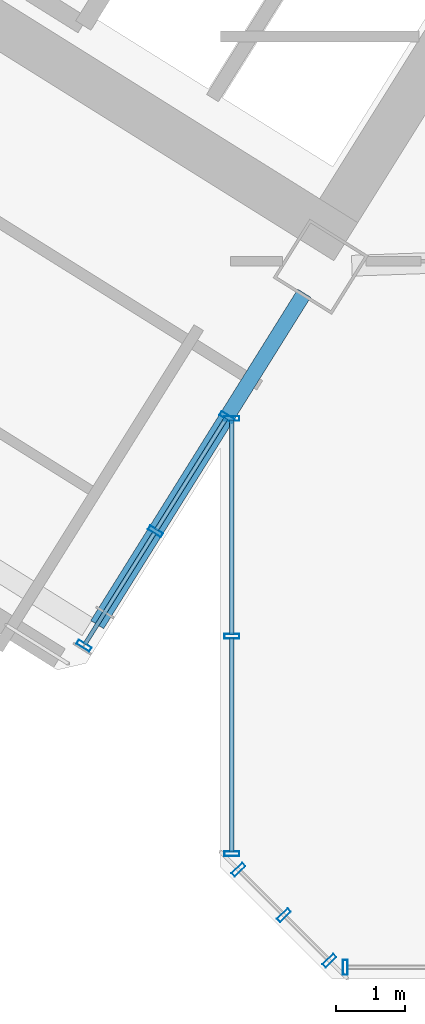
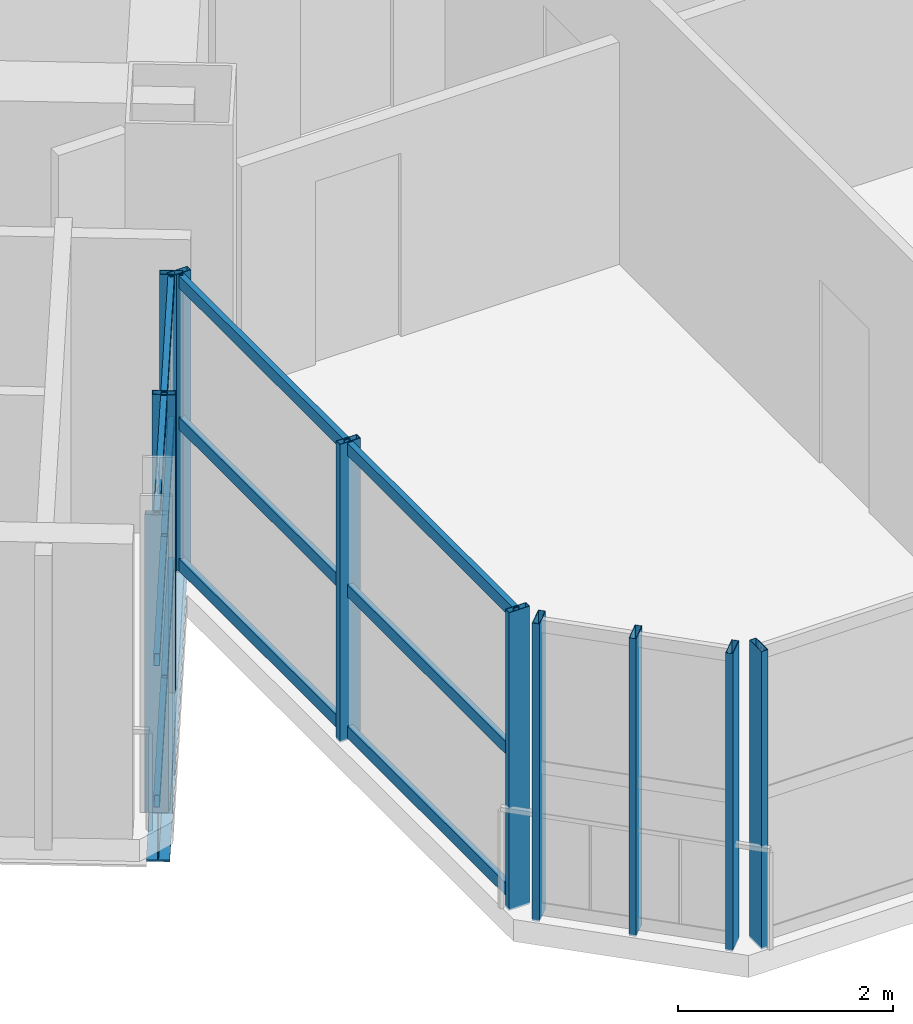
# One storey, part 5 of 24: 22 members, 1 beam, 4 elements without a shape of their own.
"""IFC4 building model written with IfcOpenShell, lengths in metres."""

import ifcopenshell
import ifcopenshell.guid

model = None  # the IFC model being written
_history = None  # IfcOwnerHistory: only IFC2X3 demands one
_inside = {}  # id of a spatial element -> (the spatial element, [elements in it])
_under = {}  # id of a project, library or spatial element -> (it, [spatial elements below it])
_declared = {}  # id of a project -> (the project, [libraries it declares])
_typed = {}  # id of a type object -> (the type object, [elements of that type])
_made_of = {}  # id of a material, layer set ... -> (it, [elements and type objects made of it])


def new_model(schema):
    """Start an empty IFC model of exactly this schema.

    Asked for "IFC4X3", IfcOpenShell would pick the latest addendum, in which some entities
    have other attributes; the version numbers below select the first issue.
    IFC2X3 requires an IfcOwnerHistory on every rooted entity: one is made here for all.
    """
    global model, _history
    if schema == "IFC4X3":
        model = ifcopenshell.file(schema_version=(4, 3, 0, 0))
    else:
        model = ifcopenshell.file(schema=schema)
    _inside.clear()
    _under.clear()
    _declared.clear()
    _typed.clear()
    _made_of.clear()
    _history = None
    if model.schema == "IFC2X3":
        org = make("IfcOrganization", Name="unknown")
        user = make(
            "IfcPersonAndOrganization",
            ThePerson=make("IfcPerson", FamilyName="unknown"),
            TheOrganization=org,
        )
        app = make(
            "IfcApplication",
            ApplicationDeveloper=org,
            Version="unknown",
            ApplicationFullName="unknown",
            ApplicationIdentifier="unknown",
        )
        _history = make(
            "IfcOwnerHistory",
            OwningUser=user,
            OwningApplication=app,
            ChangeAction="ADDED",
            CreationDate=0,
        )
    return model


def make(cls, **values):
    """One entity of the class cls with the attributes given. An attribute that is None is left unset."""
    return model.create_entity(
        cls, **{name: value for name, value in values.items() if value is not None}
    )


def rooted(cls, **values):
    """An entity with a GlobalId (a new one), such as an element, a storey or a relation."""
    return make(cls, GlobalId=ifcopenshell.guid.new(), OwnerHistory=_history, **values)


def si_unit(unit_type, name, prefix=None):
    """IfcSIUnit, for example si_unit("LENGTHUNIT", "METRE", prefix="MILLI")."""
    return make("IfcSIUnit", UnitType=unit_type, Prefix=prefix, Name=name)


def assignment(units):
    """IfcUnitAssignment: the units of a project."""
    return None if units is None else make("IfcUnitAssignment", Units=units)


def point(xyz):
    """IfcCartesianPoint."""
    return None if xyz is None else make("IfcCartesianPoint", Coordinates=xyz)


def direction(xyz):
    """IfcDirection."""
    return None if xyz is None else make("IfcDirection", DirectionRatios=xyz)


def frame(location, z_axis=None, x_axis=None):
    """IfcAxis2Placement3D, a coordinate frame: its origin and axes. An axis left out is left unset."""
    return make(
        "IfcAxis2Placement3D",
        Location=point(location),
        Axis=direction(z_axis),
        RefDirection=direction(x_axis),
    )


def frame_2d(location, x_axis=None):
    """IfcAxis2Placement2D, a coordinate frame in the plane: its origin and x axis."""
    return make(
        "IfcAxis2Placement2D", Location=point(location), RefDirection=direction(x_axis)
    )


def origin():
    """The frame at (0, 0, 0) with its axes left unset."""
    return frame((0.0, 0.0, 0.0))


def origin_2d():
    """The frame at (0, 0) in the plane with its x axis left unset."""
    return frame_2d((0.0, 0.0))


def place(relative_to, where):
    """IfcLocalPlacement: puts the frame where relative to a parent placement (None: the world)."""
    return make(
        "IfcLocalPlacement", PlacementRelTo=relative_to, RelativePlacement=where
    )


def context(
    kind, dimensions, precision=None, world=None, true_north=None, identifier=None
):
    """IfcGeometricRepresentationContext, for example the 3D "Model" context."""
    return make(
        "IfcGeometricRepresentationContext",
        ContextIdentifier=identifier,
        ContextType=kind,
        CoordinateSpaceDimension=dimensions,
        Precision=precision,
        WorldCoordinateSystem=world,
        TrueNorth=true_north,
    )


def subcontext(parent, identifier, kind, view, scale=None):
    """IfcGeometricRepresentationSubContext, for example "Body" below "Model"."""
    return make(
        "IfcGeometricRepresentationSubContext",
        ContextIdentifier=identifier,
        ContextType=kind,
        ParentContext=parent,
        TargetScale=scale,
        TargetView=view,
    )


def project(units=None, contexts=None):
    """IfcProject with its units and contexts."""
    return rooted(
        "IfcProject",
        Name="project",
        RepresentationContexts=contexts,
        UnitsInContext=assignment(units),
    )


def spatial(cls, under=None, at=None, **own):
    """A site, building, storey or space (cls), placed at a placement, below another one or the project."""
    s = rooted(cls, ObjectPlacement=at, **own)
    if under is not None:
        _under.setdefault(under.id(), (under, []))[1].append(s)
    return s


def profile(cls, at=None, kind="AREA", **sizes):
    """A parametric profile (cls). Its sizes go by their IFC names, for example OverallWidth=200.0."""
    return make(cls, ProfileType=kind, Position=at, **sizes)


def hollow_rectangle(**sizes):
    """IfcRectangleHollowProfileDef."""
    return profile("IfcRectangleHollowProfileDef", **sizes)


def i_section(**sizes):
    """IfcIShapeProfileDef."""
    return profile("IfcIShapeProfileDef", **sizes)


def extrude(swept, where, along, depth):
    """IfcExtrudedAreaSolid: the profile swept, set in the frame where, extruded along a direction by depth."""
    return make(
        "IfcExtrudedAreaSolid",
        SweptArea=swept,
        Position=where,
        ExtrudedDirection=direction(along),
        Depth=depth,
    )


def shape(context_of_items, identifier, shape_type, items):
    """IfcShapeRepresentation: the items that make up one representation, for example the "Body"."""
    return make(
        "IfcShapeRepresentation",
        ContextOfItems=context_of_items,
        RepresentationIdentifier=identifier,
        RepresentationType=shape_type,
        Items=items,
    )


def source(mapping_origin, context_of_items, identifier, shape_type, items):
    """IfcRepresentationMap: a shape defined once, which mapped items show again and again."""
    return make(
        "IfcRepresentationMap",
        MappingOrigin=mapping_origin,
        MappedRepresentation=shape(context_of_items, identifier, shape_type, items),
    )


def transform(
    local_origin,
    x_axis=None,
    y_axis=None,
    z_axis=None,
    scale=None,
    scale2=None,
    scale3=None,
    uniform=True,
):
    """IfcCartesianTransformationOperator3D, or its non-uniform kind. x_axis, y_axis, z_axis: its Axis1, 2, 3."""
    if uniform:
        return make(
            "IfcCartesianTransformationOperator3D",
            Axis1=direction(x_axis),
            Axis2=direction(y_axis),
            LocalOrigin=point(local_origin),
            Scale=scale,
            Axis3=direction(z_axis),
        )
    return make(
        "IfcCartesianTransformationOperator3DnonUniform",
        Axis1=direction(x_axis),
        Axis2=direction(y_axis),
        LocalOrigin=point(local_origin),
        Scale=scale,
        Axis3=direction(z_axis),
        Scale2=scale2,
        Scale3=scale3,
    )


def mapped(mapping_source, mapping_target):
    """IfcMappedItem: shows the shape of a source again, moved by a transform."""
    return make(
        "IfcMappedItem", MappingSource=mapping_source, MappingTarget=mapping_target
    )


def material(Name=None, Category=None):
    """IfcMaterial."""
    return make("IfcMaterial", Name=Name, Category=Category)


def material_profile(
    of_material, cross_section, Name=None, Category=None, Priority=None
):
    """IfcMaterialProfile: a cross section and its material."""
    return make(
        "IfcMaterialProfile",
        Name=Name,
        Material=of_material,
        Profile=cross_section,
        Priority=Priority,
        Category=Category,
    )


def profile_set(profiles, Name=None, composite=None):
    """IfcMaterialProfileSet."""
    return make(
        "IfcMaterialProfileSet",
        Name=Name,
        MaterialProfiles=profiles,
        CompositeProfile=composite,
    )


def made_of(thing, what):
    """Note that an element or type object is made of a material, layer set ...; save() writes the relation."""
    if what is not None:
        _made_of.setdefault(what.id(), (what, []))[1].append(thing)
    return thing


def type_object(cls, material=None, **own):
    """A type object (cls), such as IfcWallType, which elements share."""
    return made_of(rooted(cls, **own), material)


def element(
    cls,
    number,
    at=None,
    inside=None,
    cuts=None,
    type_object=None,
    material=None,
    context=None,
    identifier="Body",
    shape_type=None,
    held_by="IfcProductDefinitionShape",
    body=None,
    shapes=None,
    **own,
):
    """One element of the class cls, such as IfcWall. Its Tag is "e" and its number.

    at: its placement. inside: the storey or other place that contains it. cuts: it is an
    opening in that element (IfcRelVoidsElement). A single representation is given by context,
    identifier, shape_type and body (its items); several are given by shapes. held_by: the class
    of the entity that holds the representations. save() writes the other relations.
    """
    e = rooted(cls, Tag="e%d" % number, ObjectPlacement=at, **own)
    if body is not None:
        shapes = [shape(context, identifier, shape_type, body)]
    if shapes is not None:
        e.Representation = make(held_by, Representations=shapes)
    if inside is not None:
        _inside.setdefault(inside.id(), (inside, []))[1].append(e)
    if cuts is not None:
        rooted(
            "IfcRelVoidsElement", RelatingBuildingElement=cuts, RelatedOpeningElement=e
        )
    if type_object is not None:
        _typed.setdefault(type_object.id(), (type_object, []))[1].append(e)
    return made_of(e, material)


def aggregate(whole, parts):
    """IfcRelAggregates: a whole, such as a stair, and the parts it consists of."""
    return rooted("IfcRelAggregates", RelatingObject=whole, RelatedObjects=parts)


def save(model, path):
    """Write the relations noted so far, then the file.

    IfcRelAggregates (storeys below a building ...), IfcRelContainedInSpatialStructure (elements
    in a storey), IfcRelDefinesByType, IfcRelAssociatesMaterial and IfcRelDeclares: one each for
    every whole, place, type object, material and project.
    """
    for whole, parts in _under.values():
        aggregate(whole, parts)
    for where, things in _inside.values():
        rooted(
            "IfcRelContainedInSpatialStructure",
            RelatedElements=things,
            RelatingStructure=where,
        )
    for kind, things in _typed.values():
        rooted("IfcRelDefinesByType", RelatedObjects=things, RelatingType=kind)
    for what, things in _made_of.values():
        rooted("IfcRelAssociatesMaterial", RelatedObjects=things, RelatingMaterial=what)
    for by, libraries in _declared.values():
        rooted("IfcRelDeclares", RelatingContext=by, RelatedDefinitions=libraries)
    model.write(path)


model = new_model("IFC4")

# Units and contexts
model_context = context("Model", 3, precision=1e-05, world=origin(), true_north=direction((0.0, 1.0)))
body_context = subcontext(model_context, "Body", "Model", "MODEL_VIEW")
ifc_project = project(units=[si_unit("LENGTHUNIT", "METRE"), si_unit("AREAUNIT", "SQUARE_METRE"), si_unit("VOLUMEUNIT", "CUBIC_METRE"), si_unit("PLANEANGLEUNIT", "RADIAN"), si_unit("MASSUNIT", "GRAM", prefix="KILO")], contexts=[model_context])

# Site, building, storey
site_placement = place(None, origin())
site = spatial("IfcSite", under=ifc_project, at=site_placement, CompositionType="ELEMENT")
building_placement = place(site_placement, origin())
building = spatial("IfcBuilding", under=site, at=building_placement, Name="Tlacorven Tower", CompositionType="ELEMENT")
storey_placement = place(building_placement, frame((0.0, 0.0, 38.39990234375)))
storey = spatial("IfcBuildingStorey", under=building, at=storey_placement, Name="L09", CompositionType="ELEMENT", Elevation=38.39990234375)

# Beam
ifc_material_1 = material(Name="Steel S355J2", Category="steel")
ifc_material_profile_1 = material_profile(ifc_material_1, i_section(OverallWidth=0.219970703125, OverallDepth=0.60009765625, WebThickness=0.011962890625, FlangeThickness=0.01904296875, at=origin_2d()), Name="IPE 600")
ifc_profile_set_1 = profile_set([ifc_material_profile_1], Name="Steel S355J2")
beam_type = type_object("IfcBeamType", Name="BM-TWR-600", PredefinedType="BEAM", material=ifc_profile_set_1)
shared_shape_1 = source(origin(), body_context, "Body", "SweptSolid", [
    extrude(i_section(OverallWidth=0.219970703125, OverallDepth=0.60009765625, WebThickness=0.011962890625, FlangeThickness=0.01904296875, at=origin_2d()), origin(), (0.0, 0.0, 1.0), 5.64990234375),
])
beam_placement = place(storey_placement, frame((32.8076171875, 11.705322265625, -0.5498046875), z_axis=(-0.529897948462, -0.848061415356, 0.0), x_axis=(0.848061415356, -0.529897948462, 0.0)))
element("IfcBeam", 1, at=beam_placement, inside=storey, type_object=beam_type, Name="L09 beam BM-L09-WT1-2", PredefinedType="BEAM", context=body_context, shape_type="MappedRepresentation", body=[
    mapped(shared_shape_1, transform((0.0, 0.0, 0.0), scale=1.0)),
])

# Curtain wall, member
ifc_material_2 = material(Name="Dark solar low-E double glazing in aluminium frame", Category="aluminium")
curtain_wall_type = type_object("IfcCurtainWallType", Name="CW-TWR-LOW", PredefinedType="USERDEFINED", material=ifc_material_2)
curtain_wall_1_placement = place(storey_placement, origin())
curtain_wall_1 = element("IfcCurtainWall", 2, at=curtain_wall_1_placement, inside=storey, type_object=curtain_wall_type, Name="L09 CW-TWR-LOW Curtain Wall 46", ObjectType="UNITISED CURTAIN WALL", PredefinedType="USERDEFINED")
ifc_material_3 = material(Name="Aluminium 6063-T6 anodised", Category="aluminium")
ifc_material_profile_2 = material_profile(ifc_material_3, hollow_rectangle(XDim=0.070068359375, YDim=0.219970703125, WallThickness=0.0048828125, at=origin_2d()), Name="ALU MULLION 70X220")
ifc_profile_set_2 = profile_set([ifc_material_profile_2], Name="Aluminium 6063-T6 anodised")
member_type_1 = type_object("IfcMemberType", Name="CWM-01", PredefinedType="MULLION", material=ifc_profile_set_2)
shared_shape_2 = source(origin(), body_context, "Body", "SweptSolid", [
    extrude(hollow_rectangle(XDim=0.070068359375, YDim=0.219970703125, WallThickness=0.0048828125, at=origin_2d()), origin(), (0.0, 0.0, 1.0), 3.380126953125),
])
member_1_placement = place(storey_placement, frame((33.4013671875, 1.9599609375, -0.02001953125), z_axis=(0.0, 0.0, 1.0), x_axis=(-1.0, 0.0, 0.0)))
member_1 = element("IfcMember", 3, at=member_1_placement, type_object=member_type_1, Name="CW-L09-046 Mullion 4", PredefinedType="MULLION", context=body_context, shape_type="MappedRepresentation", body=[
    mapped(shared_shape_2, transform((0.0, 0.0, 0.0), scale=1.0)),
])
aggregate(curtain_wall_1, [member_1])

# Curtain wall, members
curtain_wall_2_placement = place(storey_placement, origin())
curtain_wall_2 = element("IfcCurtainWall", 4, at=curtain_wall_2_placement, inside=storey, type_object=curtain_wall_type, Name="L09 CW-TWR-LOW Curtain Wall 47", ObjectType="UNITISED CURTAIN WALL", PredefinedType="USERDEFINED")
member_2_placement = place(storey_placement, frame((33.1708984375, 2.055419921875, -0.02001953125), z_axis=(0.0, 0.0, 1.0), x_axis=(-0.707106781187, 0.707106781187, 0.0)))
member_2 = element("IfcMember", 5, at=member_2_placement, type_object=member_type_1, Name="CW-L09-047 Mullion 1", PredefinedType="MULLION", context=body_context, shape_type="MappedRepresentation", body=[
    mapped(shared_shape_2, transform((0.0, 0.0, 0.0), scale=1.0)),
])
member_3_placement = place(storey_placement, frame((32.51318359375, 2.713134765625, -0.02001953125), z_axis=(0.0, 0.0, 1.0), x_axis=(-0.707106781187, 0.707106781187, 0.0)))
member_3 = element("IfcMember", 6, at=member_3_placement, type_object=member_type_1, Name="CW-L09-047 Mullion 2", PredefinedType="MULLION", context=body_context, shape_type="MappedRepresentation", body=[
    mapped(shared_shape_2, transform((0.0, 0.0, 0.0), scale=1.0)),
])
member_4_placement = place(storey_placement, frame((31.85546875, 3.370849609375, -0.02001953125), z_axis=(0.0, 0.0, 1.0), x_axis=(-0.707106781187, 0.707106781187, 0.0)))
member_4 = element("IfcMember", 7, at=member_4_placement, type_object=member_type_1, Name="CW-L09-047 Mullion 3", PredefinedType="MULLION", context=body_context, shape_type="MappedRepresentation", body=[
    mapped(shared_shape_2, transform((0.0, 0.0, 0.0), scale=1.0)),
])
aggregate(curtain_wall_2, [member_2, member_3, member_4])

curtain_wall_3_placement = place(storey_placement, origin())
curtain_wall_3 = element("IfcCurtainWall", 8, at=curtain_wall_3_placement, inside=storey, type_object=curtain_wall_type, Name="L09 CW-TWR-LOW Curtain Wall 48", ObjectType="UNITISED CURTAIN WALL", PredefinedType="USERDEFINED")
member_5_placement = place(storey_placement, frame((31.760009765625, 3.601318359375, -0.02001953125), z_axis=(0.0, 0.0, 1.0), x_axis=(0.0, 1.0, 0.0)))
member_5 = element("IfcMember", 9, at=member_5_placement, type_object=member_type_1, Name="CW-L09-048 Mullion 1", PredefinedType="MULLION", context=body_context, shape_type="MappedRepresentation", body=[
    mapped(shared_shape_2, transform((0.0, 0.0, 0.0), scale=1.0)),
])
member_6_placement = place(storey_placement, frame((31.760009765625, 6.74755859375, -0.02001953125), z_axis=(0.0, 0.0, 1.0), x_axis=(0.0, 1.0, 0.0)))
member_6 = element("IfcMember", 10, at=member_6_placement, type_object=member_type_1, Name="CW-L09-048 Mullion 2", PredefinedType="MULLION", context=body_context, shape_type="MappedRepresentation", body=[
    mapped(shared_shape_2, transform((0.0, 0.0, 0.0), scale=1.0)),
])
member_7_placement = place(storey_placement, frame((31.760009765625, 9.8935546875, -0.02001953125), z_axis=(0.0, 0.0, 1.0), x_axis=(0.0, 1.0, 0.0)))
member_7 = element("IfcMember", 11, at=member_7_placement, type_object=member_type_1, Name="CW-L09-048 Mullion 3", PredefinedType="MULLION", context=body_context, shape_type="MappedRepresentation", body=[
    mapped(shared_shape_2, transform((0.0, 0.0, 0.0), scale=1.0)),
])

curtain_wall_4_placement = place(storey_placement, origin())
curtain_wall_4 = element("IfcCurtainWall", 12, at=curtain_wall_4_placement, inside=storey, type_object=curtain_wall_type, Name="L09 CW-TWR-LOW Curtain Wall 49", ObjectType="UNITISED CURTAIN WALL", PredefinedType="USERDEFINED")
member_8_placement = place(storey_placement, frame((31.6884765625, 9.9140625, -0.02001953125), z_axis=(0.0, 0.0, 1.0), x_axis=(-0.529918710919, -0.848048441905, 0.0)))
member_8 = element("IfcMember", 13, at=member_8_placement, type_object=member_type_1, Name="CW-L09-049 Mullion 1", PredefinedType="MULLION", context=body_context, shape_type="MappedRepresentation", body=[
    mapped(shared_shape_2, transform((0.0, 0.0, 0.0), scale=1.0)),
])
member_9_placement = place(storey_placement, frame((30.656005859375, 8.261962890625, -0.02001953125), z_axis=(0.0, 0.0, 1.0), x_axis=(-0.529918710919, -0.848048441905, 0.0)))
member_9 = element("IfcMember", 14, at=member_9_placement, type_object=member_type_1, Name="CW-L09-049 Mullion 2", PredefinedType="MULLION", context=body_context, shape_type="MappedRepresentation", body=[
    mapped(shared_shape_2, transform((0.0, 0.0, 0.0), scale=1.0)),
])
member_10_placement = place(storey_placement, frame((29.62353515625, 6.609619140625, -0.02001953125), z_axis=(0.0, 0.0, 1.0), x_axis=(-0.529918710919, -0.848048441905, 0.0)))
member_10 = element("IfcMember", 15, at=member_10_placement, type_object=member_type_1, Name="CW-L09-049 Mullion 3", PredefinedType="MULLION", context=body_context, shape_type="MappedRepresentation", body=[
    mapped(shared_shape_2, transform((0.0, 0.0, 0.0), scale=1.0)),
])

# Member
ifc_material_profile_3 = material_profile(ifc_material_3, hollow_rectangle(XDim=0.06005859375, YDim=0.139892578125, WallThickness=0.00390625, at=origin_2d()), Name="ALU TRANSOM 60X140")
ifc_profile_set_3 = profile_set([ifc_material_profile_3], Name="Aluminium 6063-T6 anodised")
member_type_2 = type_object("IfcMemberType", Name="CWT-02", PredefinedType="USERDEFINED", material=ifc_profile_set_3)
shared_shape_3 = source(origin(), body_context, "Body", "SweptSolid", [
    extrude(hollow_rectangle(XDim=0.06005859375, YDim=0.139892578125, WallThickness=0.00390625, at=origin_2d()), origin(), (0.0, 0.0, 1.0), 3.10009765625),
])
member_11_placement = place(storey_placement, frame((31.760009765625, 3.624267578125, 0.070068359375), z_axis=(0.0, 1.0, 0.0), x_axis=(-1.0, 0.0, 0.0)))
member_11 = element("IfcMember", 16, at=member_11_placement, type_object=member_type_2, Name="CW-L09-048 Transom 1", ObjectType="TRANSOM", PredefinedType="USERDEFINED", context=body_context, shape_type="MappedRepresentation", body=[
    mapped(shared_shape_3, transform((0.0, 0.0, 0.0), scale=1.0)),
])

member_12_placement = place(storey_placement, frame((31.760009765625, 3.624267578125, 1.675048828125), z_axis=(0.0, 1.0, 0.0), x_axis=(-1.0, 0.0, 0.0)))
member_12 = element("IfcMember", 17, at=member_12_placement, type_object=member_type_2, Name="CW-L09-048 Transom 2", ObjectType="TRANSOM", PredefinedType="USERDEFINED", context=body_context, shape_type="MappedRepresentation", body=[
    mapped(shared_shape_3, transform((0.0, 0.0, 0.0), scale=1.0)),
])

member_13_placement = place(storey_placement, frame((31.760009765625, 3.624267578125, 3.280029296875), z_axis=(0.0, 1.0, 0.0), x_axis=(-1.0, 0.0, 0.0)))
member_13 = element("IfcMember", 18, at=member_13_placement, type_object=member_type_2, Name="CW-L09-048 Transom 3", ObjectType="TRANSOM", PredefinedType="USERDEFINED", context=body_context, shape_type="MappedRepresentation", body=[
    mapped(shared_shape_3, transform((0.0, 0.0, 0.0), scale=1.0)),
])

member_14_placement = place(storey_placement, frame((31.760009765625, 6.7705078125, 0.070068359375), z_axis=(0.0, 1.0, 0.0), x_axis=(-1.0, 0.0, 0.0)))
member_14 = element("IfcMember", 19, at=member_14_placement, type_object=member_type_2, Name="CW-L09-048 Transom 4", ObjectType="TRANSOM", PredefinedType="USERDEFINED", context=body_context, shape_type="MappedRepresentation", body=[
    mapped(shared_shape_3, transform((0.0, 0.0, 0.0), scale=1.0)),
])

member_15_placement = place(storey_placement, frame((31.760009765625, 6.7705078125, 1.675048828125), z_axis=(0.0, 1.0, 0.0), x_axis=(-1.0, 0.0, 0.0)))
member_15 = element("IfcMember", 20, at=member_15_placement, type_object=member_type_2, Name="CW-L09-048 Transom 5", ObjectType="TRANSOM", PredefinedType="USERDEFINED", context=body_context, shape_type="MappedRepresentation", body=[
    mapped(shared_shape_3, transform((0.0, 0.0, 0.0), scale=1.0)),
])

member_16_placement = place(storey_placement, frame((31.760009765625, 6.7705078125, 3.280029296875), z_axis=(0.0, 1.0, 0.0), x_axis=(-1.0, 0.0, 0.0)))
member_16 = element("IfcMember", 21, at=member_16_placement, type_object=member_type_2, Name="CW-L09-048 Transom 6", ObjectType="TRANSOM", PredefinedType="USERDEFINED", context=body_context, shape_type="MappedRepresentation", body=[
    mapped(shared_shape_3, transform((0.0, 0.0, 0.0), scale=1.0)),
])

aggregate(curtain_wall_3, [member_5, member_6, member_7, member_11, member_12, member_13, member_14, member_15, member_16])

shared_shape_4 = source(origin(), body_context, "Body", "SweptSolid", [
    extrude(hollow_rectangle(XDim=0.06005859375, YDim=0.139892578125, WallThickness=0.00390625, at=origin_2d()), origin(), (0.0, 0.0, 1.0), 1.902587890625),
])
member_17_placement = place(storey_placement, frame((31.67626953125, 9.894775390625, 0.070068359375), z_axis=(-0.529848980307, -0.848092010378, 0.0), x_axis=(0.848092010378, -0.529848980307, 0.0)))
member_17 = element("IfcMember", 22, at=member_17_placement, type_object=member_type_2, Name="CW-L09-049 Transom 1", ObjectType="TRANSOM", PredefinedType="USERDEFINED", context=body_context, shape_type="MappedRepresentation", body=[
    mapped(shared_shape_4, transform((0.0, 0.0, 0.0), scale=1.0)),
])

member_18_placement = place(storey_placement, frame((31.67626953125, 9.894775390625, 1.675048828125), z_axis=(-0.529848980307, -0.848092010378, 0.0), x_axis=(0.848092010378, -0.529848980307, 0.0)))
member_18 = element("IfcMember", 23, at=member_18_placement, type_object=member_type_2, Name="CW-L09-049 Transom 2", ObjectType="TRANSOM", PredefinedType="USERDEFINED", context=body_context, shape_type="MappedRepresentation", body=[
    mapped(shared_shape_4, transform((0.0, 0.0, 0.0), scale=1.0)),
])

member_19_placement = place(storey_placement, frame((31.67626953125, 9.894775390625, 3.280029296875), z_axis=(-0.529848980307, -0.848092010378, 0.0), x_axis=(0.848092010378, -0.529848980307, 0.0)))
member_19 = element("IfcMember", 24, at=member_19_placement, type_object=member_type_2, Name="CW-L09-049 Transom 3", ObjectType="TRANSOM", PredefinedType="USERDEFINED", context=body_context, shape_type="MappedRepresentation", body=[
    mapped(shared_shape_4, transform((0.0, 0.0, 0.0), scale=1.0)),
])

shared_shape_5 = source(origin(), body_context, "Body", "SweptSolid", [
    extrude(hollow_rectangle(XDim=0.06005859375, YDim=0.139892578125, WallThickness=0.00390625, at=origin_2d()), origin(), (0.0, 0.0, 1.0), 1.90234375),
])
member_20_placement = place(storey_placement, frame((30.643798828125, 8.242431640625, 0.070068359375), z_axis=(-0.52990664903, -0.84805597888, 0.0), x_axis=(0.84805597888, -0.52990664903, 0.0)))
member_20 = element("IfcMember", 25, at=member_20_placement, type_object=member_type_2, Name="CW-L09-049 Transom 4", ObjectType="TRANSOM", PredefinedType="USERDEFINED", context=body_context, shape_type="MappedRepresentation", body=[
    mapped(shared_shape_5, transform((0.0, 0.0, 0.0), scale=1.0)),
])

member_21_placement = place(storey_placement, frame((30.643798828125, 8.242431640625, 1.675048828125), z_axis=(-0.52990664903, -0.84805597888, 0.0), x_axis=(0.84805597888, -0.52990664903, 0.0)))
member_21 = element("IfcMember", 26, at=member_21_placement, type_object=member_type_2, Name="CW-L09-049 Transom 5", ObjectType="TRANSOM", PredefinedType="USERDEFINED", context=body_context, shape_type="MappedRepresentation", body=[
    mapped(shared_shape_5, transform((0.0, 0.0, 0.0), scale=1.0)),
])

member_22_placement = place(storey_placement, frame((30.643798828125, 8.242431640625, 3.280029296875), z_axis=(-0.52990664903, -0.84805597888, 0.0), x_axis=(0.84805597888, -0.52990664903, 0.0)))
member_22 = element("IfcMember", 27, at=member_22_placement, type_object=member_type_2, Name="CW-L09-049 Transom 6", ObjectType="TRANSOM", PredefinedType="USERDEFINED", context=body_context, shape_type="MappedRepresentation", body=[
    mapped(shared_shape_5, transform((0.0, 0.0, 0.0), scale=1.0)),
])

aggregate(curtain_wall_4, [member_8, member_9, member_10, member_17, member_18, member_19, member_20, member_21, member_22])

save(model, "model.ifc")
